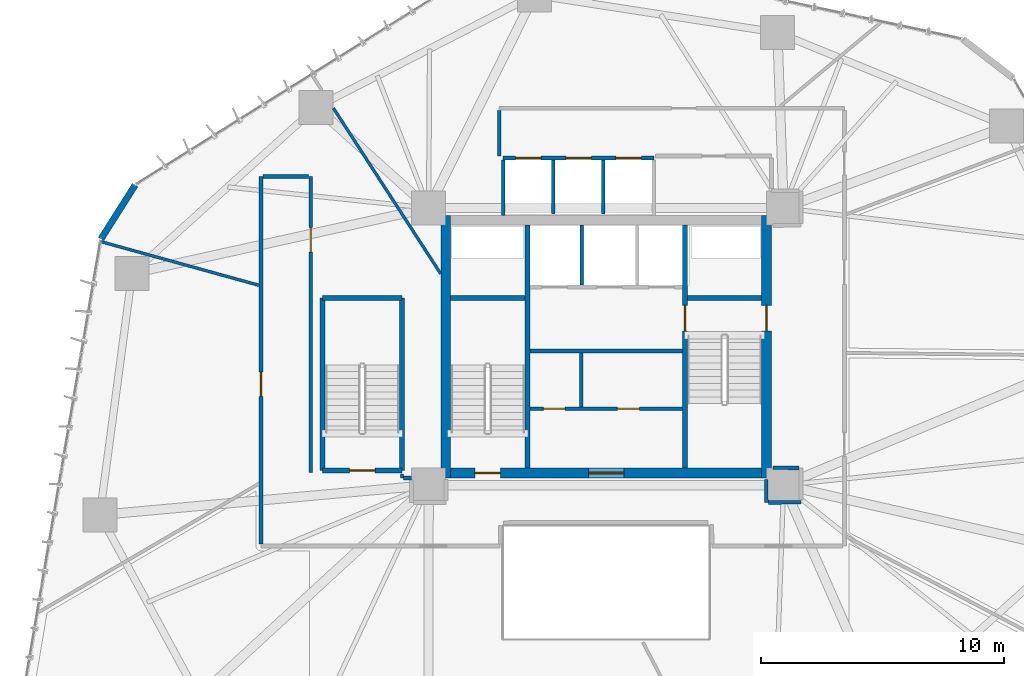
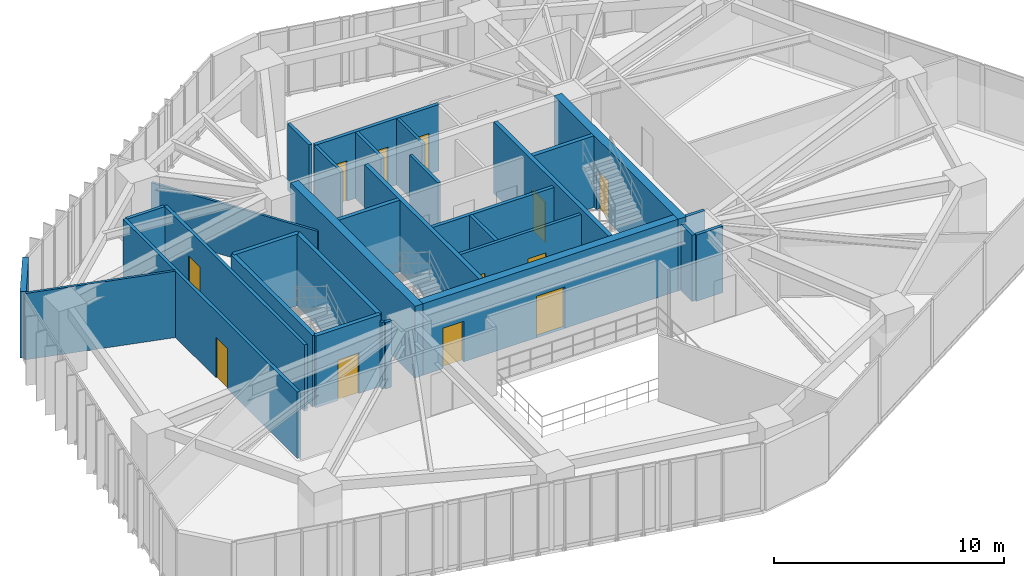
# One storey, part 17 of 22: 31 walls, 12 doors, 12 openings.
"""IFC4 building model written with IfcOpenShell, lengths in metres."""

from ifc_helpers import new_model, si_unit, direction, frame, frame_2d, origin, place, context, subcontext, project, spatial, rectangle, extrude, source, transform, mapped, material, layer, layer_set, type_object, type_shapes, element, fill, save


model = new_model("IFC4")

# Units and contexts
model_context = context("Model", 3, precision=1e-05, world=origin(), true_north=direction((0.0, 1.0)))
body_context = subcontext(model_context, "Body", "Model", "MODEL_VIEW")
ifc_project = project(units=[si_unit("LENGTHUNIT", "METRE"), si_unit("AREAUNIT", "SQUARE_METRE"), si_unit("VOLUMEUNIT", "CUBIC_METRE"), si_unit("PLANEANGLEUNIT", "RADIAN"), si_unit("MASSUNIT", "GRAM", prefix="KILO")], contexts=[model_context])

# Site, building, storey
site_placement = place(None, origin())
site = spatial("IfcSite", under=ifc_project, at=site_placement, CompositionType="ELEMENT")
building_placement = place(site_placement, origin())
building = spatial("IfcBuilding", under=site, at=building_placement, Name="Talar Marvaseh", CompositionType="ELEMENT")
storey_placement = place(building_placement, frame((0.0, 0.0, 54.39990234375)))
storey = spatial("IfcBuildingStorey", under=building, at=storey_placement, Name="L13", CompositionType="ELEMENT", Elevation=54.39990234375)

# Wall
ifc_material_1 = material(Name="Precast concrete C45/55", Category="concrete")
ifc_layer_1 = layer(ifc_material_1, 0.27001953125)
ifc_layer_set_1 = layer_set([ifc_layer_1], Name="Precast concrete C45/55")
wall_type_1 = type_object("IfcWallType", Name="Chamfered Hexagonal Corner Pier Wall Z1 270", PredefinedType="SOLIDWALL", material=ifc_layer_set_1)
wall_1_placement = place(storey_placement, frame((5.218505859375, 35.627197265625, 0.0), z_axis=(0.0, 0.0, 1.0), x_axis=(0.535483746275, 0.844545533098, 0.0)))
element("IfcWall", 1, at=wall_1_placement, inside=storey, type_object=wall_type_1, Name="L13 Chamfered Corner Limestone Pier 2", PredefinedType="SOLIDWALL", context=body_context, shape_type="SweptSolid", body=[
    extrude(rectangle(XDim=2.623291015625, YDim=0.27001953125, at=frame_2d((1.3115234375, 0.0))), origin(), (0.0, 0.0, 1.0), 3.52001953125),
])

# Wall, openings, doors
ifc_material_2 = material(Name="Gypsum Board Partition Assembly")
ifc_layer_2 = layer(ifc_material_2, 0.155029296875)
ifc_layer_set_2 = layer_set([ifc_layer_2], Name="Gypsum Board Partition Assembly")
wall_type_2 = type_object("IfcWallType", Name="Corridor Fire-Rated Acoustic Partition 155", PredefinedType="PARTITIONING", material=ifc_layer_set_2)
wall_2_placement = place(storey_placement, frame((22.865966796875, 28.639892578125, 0.0), z_axis=(0.0, 0.0, 1.0), x_axis=(1.0, 0.0, 0.0)))
wall_2 = element("IfcWall", 2, at=wall_2_placement, inside=storey, type_object=wall_type_2, Name="L13 Core BOH Partition", PredefinedType="PARTITIONING", context=body_context, shape_type="SweptSolid", body=[
    extrude(rectangle(XDim=6.26806640625, YDim=0.155029296875, at=frame_2d((3.134033203125, 0.0))), origin(), (0.0, 0.0, 1.0), 3.52001953125),
])
opening_1_placement = place(wall_2_placement, frame((0.550048828125, 0.0, 0.0)))
opening_1 = element("IfcOpeningElement", 3, at=opening_1_placement, cuts=wall_2, Name="Opening DR-BOH090", PredefinedType="OPENING", context=body_context, shape_type="SweptSolid", body=[
    extrude(rectangle(XDim=0.89990234375, YDim=2.10009765625, at=frame_2d((0.449951171875, 1.050048828125))), frame((0.0, 0.08740234375, 0.0), z_axis=(0.0, -1.0, 0.0), x_axis=(1.0, 0.0, 0.0)), (0.0, 0.0, 1.0), 0.175048828125),
])
opening_2_placement = place(wall_2_placement, frame((3.60009765625, 0.0, 0.0)))
opening_2 = element("IfcOpeningElement", 4, at=opening_2_placement, cuts=wall_2, Name="Opening DR-BOH090", PredefinedType="OPENING", context=body_context, shape_type="SweptSolid", body=[
    extrude(rectangle(XDim=0.89990234375, YDim=2.10009765625, at=frame_2d((0.449951171875, 1.050048828125))), frame((0.0, 0.08740234375, 0.0), z_axis=(0.0, -1.0, 0.0), x_axis=(1.0, 0.0, 0.0)), (0.0, 0.0, 1.0), 0.175048828125),
])
ifc_material_3 = material(Name="Fire-Rated Steel Door Leaf", Category="steel")
door_type_1 = type_object("IfcDoorType", Name="Core Back-of-House Service Door 900x2100", OperationType="NOTDEFINED", PredefinedType="DOOR", material=ifc_material_3)
shared_shape_1 = source(origin(), body_context, "Body", "SweptSolid", [
    extrude(rectangle(XDim=0.89990234375, YDim=2.10009765625, at=frame_2d((0.449951171875, 1.050048828125))), frame((0.0, 0.02490234375, 0.0), z_axis=(0.0, -1.0, 0.0), x_axis=(1.0, 0.0, 0.0)), (0.0, 0.0, 1.0), 0.050048828125),
])
type_shapes(door_type_1, [shared_shape_1])
door_1_placement = place(opening_1_placement, origin())
door_1 = element("IfcDoor", 5, at=door_1_placement, inside=storey, type_object=door_type_1, Name="L13 Cleaner Janitor Store Door", OperationType="SINGLE_SWING_LEFT", OverallHeight=2.10009765625, OverallWidth=0.89990234375, PredefinedType="DOOR", context=body_context, shape_type="MappedRepresentation", body=[
    mapped(shared_shape_1, transform((0.0, 0.0, 0.0), x_axis=(1.0, 0.0, 0.0), y_axis=(0.0, 1.0, 0.0), z_axis=(0.0, 0.0, 1.0), scale=1.0)),
])
fill(opening_1, door_1)
door_2_placement = place(opening_2_placement, origin())
door_2 = element("IfcDoor", 6, at=door_2_placement, inside=storey, type_object=door_type_1, Name="L13 Plant Core Electrical Meter Room Door", OperationType="SINGLE_SWING_RIGHT", OverallHeight=2.10009765625, OverallWidth=0.89990234375, PredefinedType="DOOR", context=body_context, shape_type="MappedRepresentation", body=[
    mapped(shared_shape_1, transform((0.0, 0.0, 0.0), x_axis=(1.0, 0.0, 0.0), y_axis=(0.0, 1.0, 0.0), z_axis=(0.0, 0.0, 1.0), scale=1.0)),
])
fill(opening_2, door_2)

# Wall
wall_3_placement = place(storey_placement, frame((24.97998046875, 28.719970703125, 0.0), z_axis=(0.0, 0.0, 1.0), x_axis=(0.0, 1.0, 0.0)))
element("IfcWall", 7, at=wall_3_placement, inside=storey, type_object=wall_type_2, Name="L13 Core BOH Partition", PredefinedType="PARTITIONING", context=body_context, shape_type="SweptSolid", body=[
    extrude(rectangle(XDim=2.219970703125, YDim=0.155029296875, at=frame_2d((1.10986328125, 0.0))), origin(), (0.0, 0.0, 1.0), 3.52001953125),
])

# Wall, opening, door
wall_4_placement = place(storey_placement, frame((11.800048828125, 23.08349609375, 0.0), z_axis=(0.0, 0.0, 1.0), x_axis=(0.0, 1.0, 0.0)))
wall_4 = element("IfcWall", 8, at=wall_4_placement, inside=storey, type_object=wall_type_2, Name="L13 Interior Partition Wall", PredefinedType="PARTITIONING", context=body_context, shape_type="SweptSolid", body=[
    extrude(rectangle(XDim=15.116455078125, YDim=0.155029296875, at=frame_2d((7.55810546875, 0.0))), origin(), (0.0, 0.0, 1.0), 3.52001953125),
])
opening_3_placement = place(wall_4_placement, frame((6.06494140625, 0.0, 0.0)))
opening_3 = element("IfcOpeningElement", 9, at=opening_3_placement, cuts=wall_4, Name="Opening DR-RM100", PredefinedType="OPENING", context=body_context, shape_type="SweptSolid", body=[
    extrude(rectangle(XDim=1.0, YDim=2.14990234375, at=frame_2d((0.5, 1.074951171875))), frame((0.0, 0.08740234375, 0.0), z_axis=(0.0, -1.0, 0.0), x_axis=(1.0, 0.0, 0.0)), (0.0, 0.0, 1.0), 0.175048828125),
])
ifc_material_4 = material(Name="Acoustic Engineered Oak Timber", Category="wood")
door_type_2 = type_object("IfcDoorType", Name="Corridor Fire-Rated Gallery Door 1000x2150", OperationType="NOTDEFINED", PredefinedType="DOOR", material=ifc_material_4)
shared_shape_2 = source(origin(), body_context, "Body", "SweptSolid", [
    extrude(rectangle(XDim=1.0, YDim=2.14990234375, at=frame_2d((0.5, 1.074951171875))), frame((0.0, 0.02490234375, 0.0), z_axis=(0.0, -1.0, 0.0), x_axis=(1.0, 0.0, 0.0)), (0.0, 0.0, 1.0), 0.050048828125),
])
type_shapes(door_type_2, [shared_shape_2])
door_3_placement = place(opening_3_placement, origin())
door_3 = element("IfcDoor", 10, at=door_3_placement, inside=storey, type_object=door_type_2, Name="L13 Conservation Laboratory Door", OperationType="SINGLE_SWING_RIGHT", OverallHeight=2.14990234375, OverallWidth=1.0, PredefinedType="DOOR", context=body_context, shape_type="MappedRepresentation", body=[
    mapped(shared_shape_2, transform((0.0, 0.0, 0.0), x_axis=(1.0, 0.0, 0.0), y_axis=(0.0, 1.0, 0.0), z_axis=(0.0, 0.0, 1.0), scale=1.0)),
])
fill(opening_3, door_3)

wall_5_placement = place(storey_placement, frame((13.85009765625, 38.199951171875, 0.0), z_axis=(0.0, 0.0, 1.0), x_axis=(0.0, -1.0, 0.0)))
wall_5 = element("IfcWall", 11, at=wall_5_placement, inside=storey, type_object=wall_type_2, Name="L13 Interior Partition Wall", PredefinedType="PARTITIONING", context=body_context, shape_type="SweptSolid", body=[
    extrude(rectangle(XDim=12.179931640625, YDim=0.155029296875, at=frame_2d((6.08984375, 0.0))), origin(), (0.0, 0.0, 1.0), 3.52001953125),
])
opening_4_placement = place(wall_5_placement, frame((2.10595703125, 0.0, 0.0)))
opening_4 = element("IfcOpeningElement", 12, at=opening_4_placement, cuts=wall_5, Name="Opening DR-RM100", PredefinedType="OPENING", context=body_context, shape_type="SweptSolid", body=[
    extrude(rectangle(XDim=1.0, YDim=2.14990234375, at=frame_2d((0.5, 1.074951171875))), frame((0.0, 0.08740234375, 0.0), z_axis=(0.0, -1.0, 0.0), x_axis=(1.0, 0.0, 0.0)), (0.0, 0.0, 1.0), 0.175048828125),
])
door_4_placement = place(opening_4_placement, origin())
door_4 = element("IfcDoor", 13, at=door_4_placement, inside=storey, type_object=door_type_2, Name="L13 Scholars' Registration Reception Door", OperationType="SINGLE_SWING_LEFT", OverallHeight=2.14990234375, OverallWidth=1.0, PredefinedType="DOOR", context=body_context, shape_type="MappedRepresentation", body=[
    mapped(shared_shape_2, transform((0.0, 0.0, 0.0), x_axis=(1.0, 0.0, 0.0), y_axis=(0.0, 1.0, 0.0), z_axis=(0.0, 0.0, 1.0), scale=1.0)),
])
fill(opening_4, door_4)

# Walls
wall_6_placement = place(storey_placement, frame((11.883544921875, 38.199951171875, 0.0), z_axis=(0.0, 0.0, 1.0), x_axis=(1.0, 0.0, 0.0)))
element("IfcWall", 14, at=wall_6_placement, inside=storey, type_object=wall_type_2, Name="L13 Interior Partition Wall", PredefinedType="PARTITIONING", context=body_context, shape_type="SweptSolid", body=[
    extrude(rectangle(XDim=1.883056640625, YDim=0.155029296875, at=frame_2d((0.94140625, 0.0))), origin(), (0.0, 0.0, 1.0), 3.52001953125),
])
wall_7_placement = place(storey_placement, frame((17.666015625, 25.800048828125, 0.0), z_axis=(0.0, 0.0, 1.0), x_axis=(1.0, 0.0, 0.0)))
element("IfcWall", 15, at=wall_7_placement, inside=storey, type_object=wall_type_2, Name="L13 Interior Partition Wall", PredefinedType="PARTITIONING", context=body_context, shape_type="SweptSolid", body=[
    extrude(rectangle(XDim=0.319091796875, YDim=0.155029296875, at=frame_2d((0.15966796875, 0.0))), origin(), (0.0, 0.0, 1.0), 3.52001953125),
])
wall_8_placement = place(storey_placement, frame((32.5849609375, 25.72998046875, 0.0), z_axis=(0.0, 0.0, 1.0), x_axis=(0.007253695172, -0.999973691607, 0.0)))
element("IfcWall", 16, at=wall_8_placement, inside=storey, type_object=wall_type_2, Name="L13 Interior Partition Wall", PredefinedType="PARTITIONING", context=body_context, shape_type="SweptSolid", body=[
    extrude(rectangle(XDim=0.9423828125, YDim=0.155029296875, at=frame_2d((0.47119140625, 0.0))), origin(), (0.0, 0.0, 1.0), 3.52001953125),
])
wall_9_placement = place(storey_placement, frame((32.67529296875, 24.788330078125, 0.0), z_axis=(0.0, 0.0, 1.0), x_axis=(0.999961738884, 0.008747614993, 0.0)))
element("IfcWall", 17, at=wall_9_placement, inside=storey, type_object=wall_type_2, Name="L13 Interior Partition Wall", PredefinedType="PARTITIONING", context=body_context, shape_type="SweptSolid", body=[
    extrude(rectangle(XDim=1.339599609375, YDim=0.155029296875, at=frame_2d((0.669921875, 0.0))), origin(), (0.0, 0.0, 1.0), 3.52001953125),
])
wall_10_placement = place(storey_placement, frame((33.927978515625, 26.2099609375, 0.0), z_axis=(0.0, 0.0, 1.0), x_axis=(-0.999988255797, 0.004846469737, 0.0)))
element("IfcWall", 18, at=wall_10_placement, inside=storey, type_object=wall_type_2, Name="L13 Interior Partition Wall", PredefinedType="PARTITIONING", context=body_context, shape_type="SweptSolid", body=[
    extrude(rectangle(XDim=1.057861328125, YDim=0.155029296875, at=frame_2d((0.52880859375, 0.0))), origin(), (0.0, 0.0, 1.0), 3.52001953125),
])
wall_11_placement = place(storey_placement, frame((21.60009765625, 39.0400390625, 0.0), z_axis=(0.0, 0.0, 1.0), x_axis=(0.0, 1.0, 0.0)))
element("IfcWall", 19, at=wall_11_placement, inside=storey, type_object=wall_type_2, Name="L13 Interior Partition Wall", PredefinedType="PARTITIONING", context=body_context, shape_type="SweptSolid", body=[
    extrude(rectangle(XDim=1.87646484375, YDim=0.155029296875, at=frame_2d((0.938232421875, 0.0))), origin(), (0.0, 0.0, 1.0), 3.52001953125),
])
ifc_layer_3 = layer(ifc_material_2, 0.1201171875)
ifc_layer_set_3 = layer_set([ifc_layer_3], Name="Gypsum Board Partition Assembly")
wall_type_3 = type_object("IfcWallType", Name="Demountable Studio Room Partition 120", PredefinedType="PARTITIONING", material=ifc_layer_set_3)
wall_12_placement = place(storey_placement, frame((17.60009765625, 25.96240234375, 0.0), z_axis=(0.0, 0.0, 1.0), x_axis=(0.0, -1.0, 0.0)))
element("IfcWall", 20, at=wall_12_placement, inside=storey, type_object=wall_type_3, Name="L13 Interior Partition Wall", PredefinedType="PARTITIONING", context=body_context, shape_type="SweptSolid", body=[
    extrude(rectangle(XDim=0.1748046875, YDim=0.1201171875, at=frame_2d((0.08740234375, 0.0))), origin(), (0.0, 0.0, 1.0), 3.52001953125),
])
wall_13_placement = place(storey_placement, frame((19.194091796875, 34.19921875, 0.0), z_axis=(0.0, 0.0, 1.0), x_axis=(-0.543866033872, 0.839172054587, 0.0)))
element("IfcWall", 21, at=wall_13_placement, inside=storey, type_object=wall_type_3, Name="L13 Interior Partition Wall", PredefinedType="PARTITIONING", context=body_context, shape_type="SweptSolid", body=[
    extrude(rectangle(XDim=8.115966796875, YDim=0.1201171875, at=frame_2d((4.05810546875, 0.0))), origin(), (0.0, 0.0, 1.0), 2.72216796875),
])
wall_14_placement = place(storey_placement, frame((11.7373046875, 33.71728515625, 0.0), z_axis=(0.0, 0.0, 1.0), x_axis=(-0.963926512711, 0.266168514467, 0.0)))
element("IfcWall", 22, at=wall_14_placement, inside=storey, type_object=wall_type_3, Name="L13 Interior Partition Wall", PredefinedType="PARTITIONING", context=body_context, shape_type="SweptSolid", body=[
    extrude(rectangle(XDim=6.760986328125, YDim=0.1201171875, at=frame_2d((3.38037109375, 0.0))), origin(), (0.0, 0.0, 1.0), 3.52001953125),
])
ifc_layer_4 = layer(ifc_material_1, 0.14501953125)
ifc_layer_set_4 = layer_set([ifc_layer_4], Name="Precast concrete C45/55")
wall_type_4 = type_object("IfcWallType", Name="Fire-Rated Lift Divider Wall 145", PredefinedType="SOLIDWALL", material=ifc_layer_set_4)
wall_15_placement = place(storey_placement, frame((25.0, 33.743408203125, 0.0), z_axis=(0.0, 0.0, 1.0), x_axis=(0.0, 1.0, 0.0)))
element("IfcWall", 23, at=wall_15_placement, inside=storey, type_object=wall_type_4, Name="L13 FFL-1/FFL-2 Divider", PredefinedType="SOLIDWALL", context=body_context, shape_type="SweptSolid", body=[
    extrude(rectangle(XDim=2.45654296875, YDim=0.14501953125, at=frame_2d((1.228271484375, 0.0))), origin(), (0.0, 0.0, 1.0), 3.52001953125),
])
wall_16_placement = place(storey_placement, frame((21.760009765625, 36.60009765625, 0.0), z_axis=(0.0, 0.0, 1.0), x_axis=(0.0, 1.0, 0.0)))
element("IfcWall", 24, at=wall_16_placement, inside=storey, type_object=wall_type_4, Name="L13 Low-Rise Bank West Wall", PredefinedType="SOLIDWALL", context=body_context, shape_type="SweptSolid", body=[
    extrude(rectangle(XDim=2.266357421875, YDim=0.14501953125, at=frame_2d((1.13330078125, 0.0))), origin(), (0.0, 0.0, 1.0), 3.52001953125),
])
for number, where, z_axis, x_axis, name in (
    (25, (23.830078125, 36.659912109375, 0.0), (0.0, 0.0, 1.0), (0.0, 1.0, 0.0), "L13 PL-L1/PL-L2 Divider"),
    (26, (25.889892578125, 36.659912109375, 0.0), (0.0, 0.0, 1.0), (0.0, 1.0, 0.0), "L13 PL-L2/PL-L3 Divider"),
):
    element("IfcWall", number, at=place(storey_placement, frame(where, z_axis=z_axis, x_axis=x_axis)), inside=storey, type_object=wall_type_4, Name=name, PredefinedType="SOLIDWALL", context=body_context, shape_type="SweptSolid", body=[
        extrude(rectangle(XDim=2.20654296875, YDim=0.14501953125, at=frame_2d((1.103271484375, 0.0))), origin(), (0.0, 0.0, 1.0), 3.52001953125),
    ])
ifc_layer_5 = layer(ifc_material_1, 0.175048828125)
ifc_layer_set_5 = layer_set([ifc_layer_5], Name="Precast concrete C45/55")
wall_type_5 = type_object("IfcWallType", Name="Fire-Rated Lift Hoistway Enclosure Wall 175", PredefinedType="SOLIDWALL", material=ifc_layer_set_5)
wall_17_placement = place(storey_placement, frame((22.860107421875, 31.02001953125, 0.0), z_axis=(0.0, 0.0, 1.0), x_axis=(1.0, 0.0, 0.0)))
element("IfcWall", 27, at=wall_17_placement, inside=storey, type_object=wall_type_5, Name="L13 Firefighting Lobby South Smoke Wall", PredefinedType="SOLIDWALL", context=body_context, shape_type="SweptSolid", body=[
    extrude(rectangle(XDim=6.27978515625, YDim=0.175048828125, at=frame_2d((3.139892578125, 0.0))), origin(), (0.0, 0.0, 1.0), 3.52001953125),
])

# Wall, openings, doors
wall_18_placement = place(storey_placement, frame((21.760009765625, 38.9599609375, 0.0), z_axis=(0.0, 0.0, 1.0), x_axis=(1.0, 0.0, 0.0)))
wall_18 = element("IfcWall", 28, at=wall_18_placement, inside=storey, type_object=wall_type_5, Name="L13 Low-Rise Lift Bank Front Wall", PredefinedType="SOLIDWALL", context=body_context, shape_type="SweptSolid", body=[
    extrude(rectangle(XDim=6.199951171875, YDim=0.175048828125, at=frame_2d((3.10009765625, 0.0))), origin(), (0.0, 0.0, 1.0), 3.52001953125),
])
opening_5_placement = place(wall_18_placement, frame((0.52001953125, 0.0, 0.0)))
opening_5 = element("IfcOpeningElement", 29, at=opening_5_placement, cuts=wall_18, Name="Opening LD-PLL1", PredefinedType="OPENING", context=body_context, shape_type="SweptSolid", body=[
    extrude(rectangle(XDim=1.050048828125, YDim=2.14990234375, at=frame_2d((0.52490234375, 1.074951171875))), frame((0.0, 0.09765625, 0.0), z_axis=(0.0, -1.0, 0.0), x_axis=(1.0, 0.0, 0.0)), (0.0, 0.0, 1.0), 0.195068359375),
])
opening_6_placement = place(wall_18_placement, frame((2.580078125, 0.0, 0.0)))
opening_6 = element("IfcOpeningElement", 30, at=opening_6_placement, cuts=wall_18, Name="Opening LD-PLL2", PredefinedType="OPENING", context=body_context, shape_type="SweptSolid", body=[
    extrude(rectangle(XDim=1.050048828125, YDim=2.14990234375, at=frame_2d((0.52490234375, 1.074951171875))), frame((0.0, 0.09765625, 0.0), z_axis=(0.0, -1.0, 0.0), x_axis=(1.0, 0.0, 0.0)), (0.0, 0.0, 1.0), 0.195068359375),
])
opening_7_placement = place(wall_18_placement, frame((4.639892578125, 0.0, 0.0)))
opening_7 = element("IfcOpeningElement", 31, at=opening_7_placement, cuts=wall_18, Name="Opening LD-PLL3", PredefinedType="OPENING", context=body_context, shape_type="SweptSolid", body=[
    extrude(rectangle(XDim=1.050048828125, YDim=2.14990234375, at=frame_2d((0.52490234375, 1.074951171875))), frame((0.0, 0.09765625, 0.0), z_axis=(0.0, -1.0, 0.0), x_axis=(1.0, 0.0, 0.0)), (0.0, 0.0, 1.0), 0.195068359375),
])
ifc_material_5 = material(Name="Stainless Steel Grade 316", Category="steel")
door_type_3 = type_object("IfcDoorType", Name="Automatic Sliding Lift Landing Door 1050x2150", OperationType="NOTDEFINED", PredefinedType="DOOR", material=ifc_material_5)
shared_shape_3 = source(origin(), body_context, "Body", "SweptSolid", [
    extrude(rectangle(XDim=1.050048828125, YDim=2.14990234375, at=frame_2d((0.52490234375, 1.074951171875))), frame((0.0, 0.02490234375, 0.0), z_axis=(0.0, -1.0, 0.0), x_axis=(1.0, 0.0, 0.0)), (0.0, 0.0, 1.0), 0.050048828125),
])
type_shapes(door_type_3, [shared_shape_3])
door_5_placement = place(opening_5_placement, origin())
door_5 = element("IfcDoor", 32, at=door_5_placement, inside=storey, type_object=door_type_3, Name="L13 Lift PL-L1 Sliding Landing Door", OperationType="SLIDING_TO_LEFT", OverallHeight=2.14990234375, OverallWidth=1.050048828125, PredefinedType="DOOR", context=body_context, shape_type="MappedRepresentation", body=[
    mapped(shared_shape_3, transform((0.0, 0.0, 0.0), x_axis=(1.0, 0.0, 0.0), y_axis=(0.0, 1.0, 0.0), z_axis=(0.0, 0.0, 1.0), scale=1.0)),
])
fill(opening_5, door_5)
door_6_placement = place(opening_6_placement, origin())
door_6 = element("IfcDoor", 33, at=door_6_placement, inside=storey, type_object=door_type_3, Name="L13 Lift PL-L2 Sliding Landing Door", OperationType="SLIDING_TO_LEFT", OverallHeight=2.14990234375, OverallWidth=1.050048828125, PredefinedType="DOOR", context=body_context, shape_type="MappedRepresentation", body=[
    mapped(shared_shape_3, transform((0.0, 0.0, 0.0), x_axis=(1.0, 0.0, 0.0), y_axis=(0.0, 1.0, 0.0), z_axis=(0.0, 0.0, 1.0), scale=1.0)),
])
fill(opening_6, door_6)
door_7_placement = place(opening_7_placement, origin())
door_7 = element("IfcDoor", 34, at=door_7_placement, inside=storey, type_object=door_type_3, Name="L13 Lift PL-L3 Sliding Landing Door", OperationType="SLIDING_TO_LEFT", OverallHeight=2.14990234375, OverallWidth=1.050048828125, PredefinedType="DOOR", context=body_context, shape_type="MappedRepresentation", body=[
    mapped(shared_shape_3, transform((0.0, 0.0, 0.0), x_axis=(1.0, 0.0, 0.0), y_axis=(0.0, 1.0, 0.0), z_axis=(0.0, 0.0, 1.0), scale=1.0)),
])
fill(opening_7, door_7)

# Wall
ifc_material_6 = material(Name="Concrete C70/85", Category="concrete")
ifc_layer_6 = layer(ifc_material_6, 0.39990234375)
ifc_layer_set_6 = layer_set([ifc_layer_6], Name="Concrete C70/85")
wall_type_6 = type_object("IfcWallType", Name="Lower Core Reinforced Concrete Shear Wall 400", PredefinedType="SHEAR", material=ifc_layer_set_6)
wall_19_placement = place(storey_placement, frame((19.39990234375, 25.800048828125, 0.0), z_axis=(0.0, 0.0, 1.0), x_axis=(0.0, 1.0, 0.0)))
element("IfcWall", 35, at=wall_19_placement, inside=storey, type_object=wall_type_6, Name="L13 West Core Shear Wall", PredefinedType="SHEAR", context=body_context, shape_type="SweptSolid", body=[
    extrude(rectangle(XDim=10.800048828125, YDim=0.39990234375, at=frame_2d((5.39990234375, 0.0))), origin(), (0.0, 0.0, 1.0), 3.800048828125),
])

# Wall, opening, door
wall_20_placement = place(storey_placement, frame((32.60009765625, 36.60009765625, 0.0), z_axis=(0.0, 0.0, 1.0), x_axis=(0.0, -1.0, 0.0)))
wall_20 = element("IfcWall", 36, at=wall_20_placement, inside=storey, type_object=wall_type_6, Name="L13 East Core Shear Wall", PredefinedType="SHEAR", context=body_context, shape_type="SweptSolid", body=[
    extrude(rectangle(XDim=10.800048828125, YDim=0.39990234375, at=frame_2d((5.39990234375, 0.0))), origin(), (0.0, 0.0, 1.0), 3.800048828125),
])
opening_8_placement = place(wall_20_placement, frame((3.699951171875, 0.0, 0.0)))
opening_8 = element("IfcOpeningElement", 37, at=opening_8_placement, cuts=wall_20, Name="Opening DR-ST105", PredefinedType="OPENING", context=body_context, shape_type="SweptSolid", body=[
    extrude(rectangle(XDim=1.050048828125, YDim=2.14990234375, at=frame_2d((0.52490234375, 1.074951171875))), frame((0.0, 0.2099609375, 0.0), z_axis=(0.0, -1.0, 0.0), x_axis=(1.0, 0.0, 0.0)), (0.0, 0.0, 1.0), 0.419921875),
])
door_type_4 = type_object("IfcDoorType", Name="Protected Exit Stair Fire Door 1050x2150", OperationType="NOTDEFINED", PredefinedType="DOOR", material=ifc_material_3)
shared_shape_4 = source(origin(), body_context, "Body", "SweptSolid", [
    extrude(rectangle(XDim=1.050048828125, YDim=2.14990234375, at=frame_2d((0.52490234375, 1.074951171875))), frame((0.0, 0.02490234375, 0.0), z_axis=(0.0, -1.0, 0.0), x_axis=(1.0, 0.0, 0.0)), (0.0, 0.0, 1.0), 0.050048828125),
])
type_shapes(door_type_4, [shared_shape_4])
door_8_placement = place(opening_8_placement, origin())
door_8 = element("IfcDoor", 38, at=door_8_placement, inside=storey, type_object=door_type_4, Name="L13 Stair ST-2 Corridor Exit Door", OperationType="SINGLE_SWING_LEFT", OverallHeight=2.14990234375, OverallWidth=1.050048828125, PredefinedType="DOOR", context=body_context, shape_type="MappedRepresentation", body=[
    mapped(shared_shape_4, transform((0.0, 0.0, 0.0), x_axis=(1.0, 0.0, 0.0), y_axis=(0.0, 1.0, 0.0), z_axis=(0.0, 0.0, 1.0), scale=1.0)),
])
fill(opening_8, door_8)

# Wall, openings, doors
wall_21_placement = place(storey_placement, frame((32.39990234375, 26.0, 0.0), z_axis=(0.0, 0.0, 1.0), x_axis=(-1.0, 0.0, 0.0)))
wall_21 = element("IfcWall", 39, at=wall_21_placement, inside=storey, type_object=wall_type_6, Name="L13 South Core Shear Wall", PredefinedType="SHEAR", context=body_context, shape_type="SweptSolid", body=[
    extrude(rectangle(XDim=12.7998046875, YDim=0.39990234375, at=frame_2d((6.39990234375, 0.0))), origin(), (0.0, 0.0, 1.0), 3.800048828125),
])
opening_9_placement = place(wall_21_placement, frame((10.75, 0.0, 0.0)))
opening_9 = element("IfcOpeningElement", 40, at=opening_9_placement, cuts=wall_21, Name="Opening DR-ST105", PredefinedType="OPENING", context=body_context, shape_type="SweptSolid", body=[
    extrude(rectangle(XDim=1.050048828125, YDim=2.14990234375, at=frame_2d((0.52490234375, 1.074951171875))), frame((0.0, 0.2099609375, 0.0), z_axis=(0.0, -1.0, 0.0), x_axis=(1.0, 0.0, 0.0)), (0.0, 0.0, 1.0), 0.419921875),
])
opening_10_placement = place(wall_21_placement, frame((5.669921875, 0.0, 0.0)))
opening_10 = element("IfcOpeningElement", 41, at=opening_10_placement, cuts=wall_21, Name="Opening DR-LBY145", PredefinedType="OPENING", context=body_context, shape_type="SweptSolid", body=[
    extrude(rectangle(XDim=1.449951171875, YDim=2.199951171875, at=frame_2d((0.72509765625, 1.10009765625))), frame((0.0, 0.2099609375, 0.0), z_axis=(0.0, -1.0, 0.0), x_axis=(1.0, 0.0, 0.0)), (0.0, 0.0, 1.0), 0.419921875),
])
door_9_placement = place(opening_9_placement, origin())
door_9 = element("IfcDoor", 42, at=door_9_placement, inside=storey, type_object=door_type_4, Name="L13 Stair ST-1 Exit Door", OperationType="SINGLE_SWING_RIGHT", OverallHeight=2.14990234375, OverallWidth=1.050048828125, PredefinedType="DOOR", context=body_context, shape_type="MappedRepresentation", body=[
    mapped(shared_shape_4, transform((0.0, 0.0, 0.0), x_axis=(1.0, 0.0, 0.0), y_axis=(0.0, 1.0, 0.0), z_axis=(0.0, 0.0, 1.0), scale=1.0)),
])
fill(opening_9, door_9)
door_type_5 = type_object("IfcDoorType", Name="Core Lift Lobby Double Smoke Door 1450x2200", OperationType="NOTDEFINED", PredefinedType="DOOR", material=ifc_material_3)
shared_shape_5 = source(origin(), body_context, "Body", "SweptSolid", [
    extrude(rectangle(XDim=1.449951171875, YDim=2.199951171875, at=frame_2d((0.72509765625, 1.10009765625))), frame((0.0, 0.02490234375, 0.0), z_axis=(0.0, -1.0, 0.0), x_axis=(1.0, 0.0, 0.0)), (0.0, 0.0, 1.0), 0.050048828125),
])
type_shapes(door_type_5, [shared_shape_5])
door_10_placement = place(opening_10_placement, origin())
door_10 = element("IfcDoor", 43, at=door_10_placement, inside=storey, type_object=door_type_5, Name="L13 Passenger Lift Lobby Entrance Door", OperationType="DOUBLE_DOOR_SINGLE_SWING", OverallHeight=2.199951171875, OverallWidth=1.449951171875, PredefinedType="DOOR", context=body_context, shape_type="MappedRepresentation", body=[
    mapped(shared_shape_5, transform((0.0, 0.0, 0.0), x_axis=(1.0, 0.0, 0.0), y_axis=(0.0, 1.0, 0.0), z_axis=(0.0, 0.0, 1.0), scale=1.0)),
])
fill(opening_10, door_10)

# Wall
ifc_material_7 = material(Name="Concrete C50/60", Category="concrete")
ifc_layer_7 = layer(ifc_material_7, 0.199951171875)
ifc_layer_set_7 = layer_set([ifc_layer_7], Name="Concrete C50/60")
wall_type_7 = type_object("IfcWallType", Name="Stair Shaft Structural Concrete Shear Wall 200", PredefinedType="SHEAR", material=ifc_layer_set_7)
wall_22_placement = place(storey_placement, frame((22.760009765625, 26.199951171875, 0.0), z_axis=(0.0, 0.0, 1.0), x_axis=(0.0, 1.0, 0.0)))
element("IfcWall", 44, at=wall_22_placement, inside=storey, type_object=wall_type_7, Name="L13 Core West Stair Shear Wall", PredefinedType="SHEAR", context=body_context, shape_type="SweptSolid", body=[
    extrude(rectangle(XDim=10.0, YDim=0.199951171875, at=frame_2d((5.0, 0.0))), origin(), (0.0, 0.0, 1.0), 3.800048828125),
])

# Wall, opening, door
wall_23_placement = place(storey_placement, frame((29.239990234375, 26.199951171875, 0.0), z_axis=(0.0, 0.0, 1.0), x_axis=(0.0, 1.0, 0.0)))
wall_23 = element("IfcWall", 45, at=wall_23_placement, inside=storey, type_object=wall_type_7, Name="L13 Core East Stair Shear Wall", PredefinedType="SHEAR", context=body_context, shape_type="SweptSolid", body=[
    extrude(rectangle(XDim=10.0, YDim=0.199951171875, at=frame_2d((5.0, 0.0))), origin(), (0.0, 0.0, 1.0), 3.800048828125),
])
opening_11_placement = place(wall_23_placement, frame((5.64990234375, 0.0, 0.0)))
opening_11 = element("IfcOpeningElement", 46, at=opening_11_placement, cuts=wall_23, Name="Opening DR-ST105", PredefinedType="OPENING", context=body_context, shape_type="SweptSolid", body=[
    extrude(rectangle(XDim=1.050048828125, YDim=2.14990234375, at=frame_2d((0.52490234375, 1.074951171875))), frame((0.0, 0.10986328125, 0.0), z_axis=(0.0, -1.0, 0.0), x_axis=(1.0, 0.0, 0.0)), (0.0, 0.0, 1.0), 0.219970703125),
])
door_11_placement = place(opening_11_placement, origin())
door_11 = element("IfcDoor", 47, at=door_11_placement, inside=storey, type_object=door_type_4, Name="L13 Firefighting Lobby to Stair ST-2 Door", OperationType="SINGLE_SWING_LEFT", OverallHeight=2.14990234375, OverallWidth=1.050048828125, PredefinedType="DOOR", context=body_context, shape_type="MappedRepresentation", body=[
    mapped(shared_shape_4, transform((0.0, 0.0, 0.0), x_axis=(1.0, 0.0, 0.0), y_axis=(0.0, 1.0, 0.0), z_axis=(0.0, 0.0, 1.0), scale=1.0)),
])
fill(opening_11, door_11)

# Walls
for number, where, z_axis, x_axis, name in (
    (48, (19.60009765625, 33.199951171875, 0.0), (0.0, 0.0, 1.0), (1.0, 0.0, 0.0), "L13 Stair ST-1 North Shear Wall"),
    (49, (29.340087890625, 33.199951171875, 0.0), (0.0, 0.0, 1.0), (1.0, 0.0, 0.0), "L13 Stair ST-2 North Shear Wall"),
):
    element("IfcWall", number, at=place(storey_placement, frame(where, z_axis=z_axis, x_axis=x_axis)), inside=storey, type_object=wall_type_7, Name=name, PredefinedType="SHEAR", context=body_context, shape_type="SweptSolid", body=[
        extrude(rectangle(XDim=3.059814453125, YDim=0.199951171875, at=frame_2d((1.52978515625, 0.0))), origin(), (0.0, 0.0, 1.0), 3.800048828125),
    ])

# Wall, opening, door
wall_24_placement = place(storey_placement, frame((17.60009765625, 26.10009765625, 0.0), z_axis=(0.0, 0.0, 1.0), x_axis=(-1.0, 0.0, 0.0)))
wall_24 = element("IfcWall", 50, at=wall_24_placement, inside=storey, type_object=wall_type_7, Name="L13 Stair ST-3 South Shear Wall", PredefinedType="SHEAR", context=body_context, shape_type="SweptSolid", body=[
    extrude(rectangle(XDim=3.260009765625, YDim=0.199951171875, at=frame_2d((1.6298828125, 0.0))), origin(), (0.0, 0.0, 1.0), 3.800048828125),
])
opening_12_placement = place(wall_24_placement, frame((1.10009765625, 0.0, 0.0)))
opening_12 = element("IfcOpeningElement", 51, at=opening_12_placement, cuts=wall_24, Name="Opening DR-ST105", PredefinedType="OPENING", context=body_context, shape_type="SweptSolid", body=[
    extrude(rectangle(XDim=1.050048828125, YDim=2.14990234375, at=frame_2d((0.52490234375, 1.074951171875))), frame((0.0, 0.10986328125, 0.0), z_axis=(0.0, -1.0, 0.0), x_axis=(1.0, 0.0, 0.0)), (0.0, 0.0, 1.0), 0.219970703125),
])
door_12_placement = place(opening_12_placement, origin())
door_12 = element("IfcDoor", 52, at=door_12_placement, inside=storey, type_object=door_type_4, Name="L13 Stair ST-3 Exit Door", OperationType="SINGLE_SWING_LEFT", OverallHeight=2.14990234375, OverallWidth=1.050048828125, PredefinedType="DOOR", context=body_context, shape_type="MappedRepresentation", body=[
    mapped(shared_shape_4, transform((0.0, 0.0, 0.0), x_axis=(1.0, 0.0, 0.0), y_axis=(0.0, 1.0, 0.0), z_axis=(0.0, 0.0, 1.0), scale=1.0)),
])
fill(opening_12, door_12)

# Walls
wall_25_placement = place(storey_placement, frame((14.340087890625, 33.199951171875, 0.0), z_axis=(0.0, 0.0, 1.0), x_axis=(1.0, 0.0, 0.0)))
element("IfcWall", 53, at=wall_25_placement, inside=storey, type_object=wall_type_7, Name="L13 Stair ST-3 North Shear Wall", PredefinedType="SHEAR", context=body_context, shape_type="SweptSolid", body=[
    extrude(rectangle(XDim=3.260009765625, YDim=0.199951171875, at=frame_2d((1.6298828125, 0.0))), origin(), (0.0, 0.0, 1.0), 3.800048828125),
])
for number, where, z_axis, x_axis, name in (
    (54, (14.340087890625, 26.10009765625, 0.0), (0.0, 0.0, 1.0), (0.0, 1.0, 0.0), "L13 Stair ST-3 West Shear Wall"),
    (55, (17.60009765625, 26.10009765625, 0.0), (0.0, 0.0, 1.0), (0.0, 1.0, 0.0), "L13 Stair ST-3 East Shear Wall"),
):
    element("IfcWall", number, at=place(storey_placement, frame(where, z_axis=z_axis, x_axis=x_axis)), inside=storey, type_object=wall_type_7, Name=name, PredefinedType="SHEAR", context=body_context, shape_type="SweptSolid", body=[
        extrude(rectangle(XDim=7.099853515625, YDim=0.199951171875, at=frame_2d((3.5498046875, 0.0))), origin(), (0.0, 0.0, 1.0), 3.800048828125),
    ])

save(model, "model.ifc")
